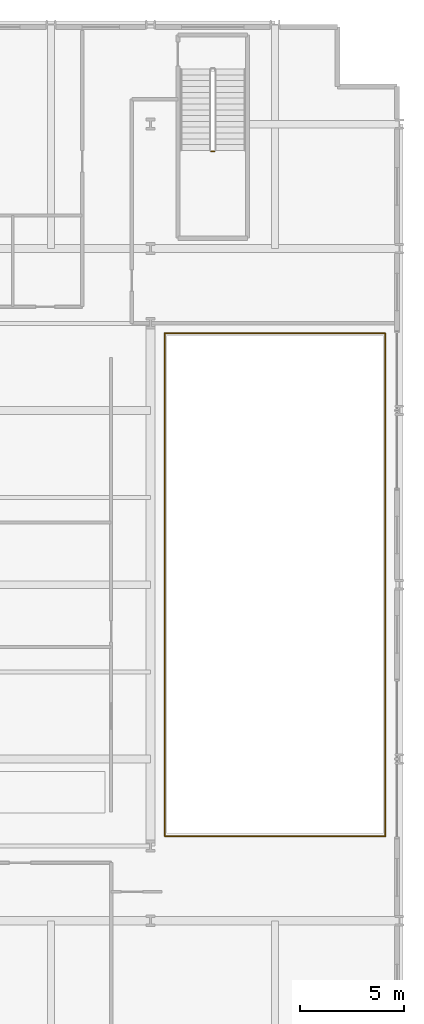
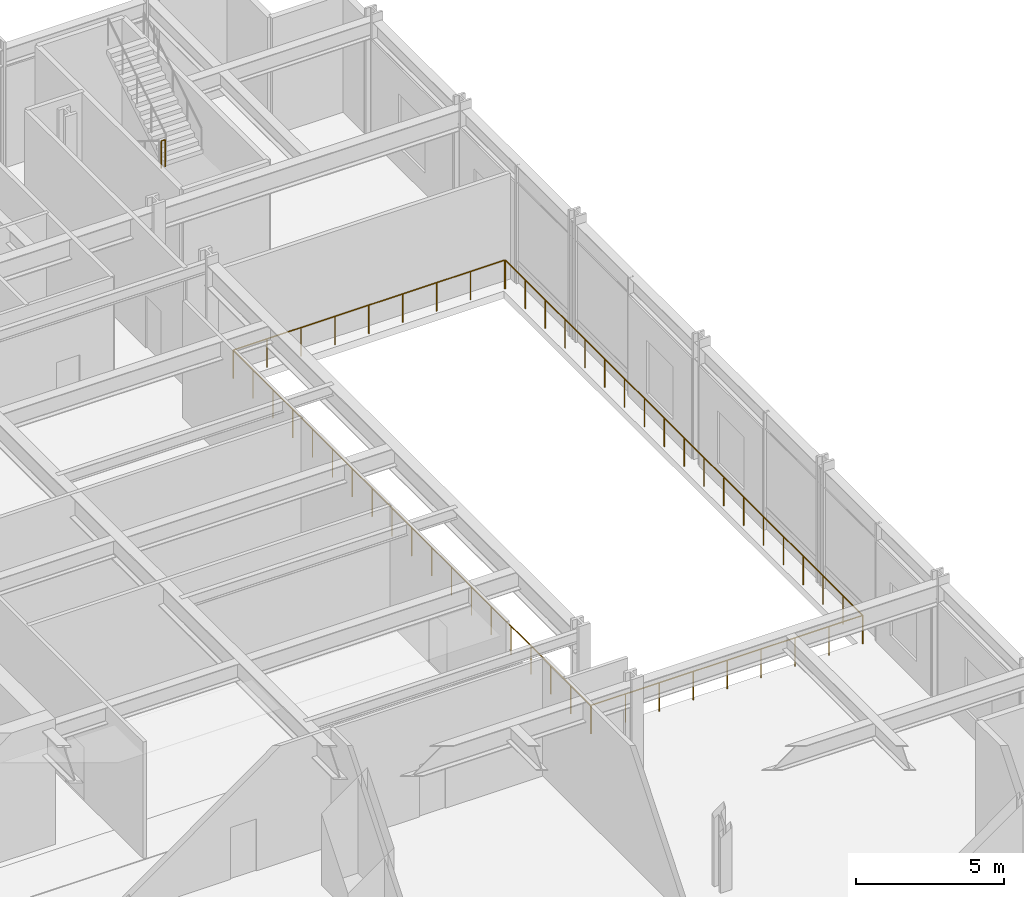
# One storey, part 20 of 21: 3 railings.
"""IFC4 building model written with IfcOpenShell, lengths in metres."""

import ifcopenshell
import ifcopenshell.guid

model = None  # the IFC model being written
_history = None  # IfcOwnerHistory: only IFC2X3 demands one
_inside = {}  # id of a spatial element -> (the spatial element, [elements in it])
_under = {}  # id of a project, library or spatial element -> (it, [spatial elements below it])
_declared = {}  # id of a project -> (the project, [libraries it declares])
_typed = {}  # id of a type object -> (the type object, [elements of that type])
_made_of = {}  # id of a material, layer set ... -> (it, [elements and type objects made of it])


def new_model(schema):
    """Start an empty IFC model of exactly this schema.

    Asked for "IFC4X3", IfcOpenShell would pick the latest addendum, in which some entities
    have other attributes; the version numbers below select the first issue.
    IFC2X3 requires an IfcOwnerHistory on every rooted entity: one is made here for all.
    """
    global model, _history
    if schema == "IFC4X3":
        model = ifcopenshell.file(schema_version=(4, 3, 0, 0))
    else:
        model = ifcopenshell.file(schema=schema)
    _inside.clear()
    _under.clear()
    _declared.clear()
    _typed.clear()
    _made_of.clear()
    _history = None
    if model.schema == "IFC2X3":
        org = make("IfcOrganization", Name="unknown")
        user = make(
            "IfcPersonAndOrganization",
            ThePerson=make("IfcPerson", FamilyName="unknown"),
            TheOrganization=org,
        )
        app = make(
            "IfcApplication",
            ApplicationDeveloper=org,
            Version="unknown",
            ApplicationFullName="unknown",
            ApplicationIdentifier="unknown",
        )
        _history = make(
            "IfcOwnerHistory",
            OwningUser=user,
            OwningApplication=app,
            ChangeAction="ADDED",
            CreationDate=0,
        )
    return model


def make(cls, **values):
    """One entity of the class cls with the attributes given. An attribute that is None is left unset."""
    return model.create_entity(
        cls, **{name: value for name, value in values.items() if value is not None}
    )


def rooted(cls, **values):
    """An entity with a GlobalId (a new one), such as an element, a storey or a relation."""
    return make(cls, GlobalId=ifcopenshell.guid.new(), OwnerHistory=_history, **values)


def si_unit(unit_type, name, prefix=None):
    """IfcSIUnit, for example si_unit("LENGTHUNIT", "METRE", prefix="MILLI")."""
    return make("IfcSIUnit", UnitType=unit_type, Prefix=prefix, Name=name)


def assignment(units):
    """IfcUnitAssignment: the units of a project."""
    return None if units is None else make("IfcUnitAssignment", Units=units)


def point(xyz):
    """IfcCartesianPoint."""
    return None if xyz is None else make("IfcCartesianPoint", Coordinates=xyz)


def direction(xyz):
    """IfcDirection."""
    return None if xyz is None else make("IfcDirection", DirectionRatios=xyz)


def frame(location, z_axis=None, x_axis=None):
    """IfcAxis2Placement3D, a coordinate frame: its origin and axes. An axis left out is left unset."""
    return make(
        "IfcAxis2Placement3D",
        Location=point(location),
        Axis=direction(z_axis),
        RefDirection=direction(x_axis),
    )


def frame_2d(location, x_axis=None):
    """IfcAxis2Placement2D, a coordinate frame in the plane: its origin and x axis."""
    return make(
        "IfcAxis2Placement2D", Location=point(location), RefDirection=direction(x_axis)
    )


def origin():
    """The frame at (0, 0, 0) with its axes left unset."""
    return frame((0.0, 0.0, 0.0))


def origin_2d():
    """The frame at (0, 0) in the plane with its x axis left unset."""
    return frame_2d((0.0, 0.0))


def place(relative_to, where):
    """IfcLocalPlacement: puts the frame where relative to a parent placement (None: the world)."""
    return make(
        "IfcLocalPlacement", PlacementRelTo=relative_to, RelativePlacement=where
    )


def context(
    kind, dimensions, precision=None, world=None, true_north=None, identifier=None
):
    """IfcGeometricRepresentationContext, for example the 3D "Model" context."""
    return make(
        "IfcGeometricRepresentationContext",
        ContextIdentifier=identifier,
        ContextType=kind,
        CoordinateSpaceDimension=dimensions,
        Precision=precision,
        WorldCoordinateSystem=world,
        TrueNorth=true_north,
    )


def subcontext(parent, identifier, kind, view, scale=None):
    """IfcGeometricRepresentationSubContext, for example "Body" below "Model"."""
    return make(
        "IfcGeometricRepresentationSubContext",
        ContextIdentifier=identifier,
        ContextType=kind,
        ParentContext=parent,
        TargetScale=scale,
        TargetView=view,
    )


def project(units=None, contexts=None):
    """IfcProject with its units and contexts."""
    return rooted(
        "IfcProject",
        Name="project",
        RepresentationContexts=contexts,
        UnitsInContext=assignment(units),
    )


def spatial(cls, under=None, at=None, **own):
    """A site, building, storey or space (cls), placed at a placement, below another one or the project."""
    s = rooted(cls, ObjectPlacement=at, **own)
    if under is not None:
        _under.setdefault(under.id(), (under, []))[1].append(s)
    return s


def profile(cls, at=None, kind="AREA", **sizes):
    """A parametric profile (cls). Its sizes go by their IFC names, for example OverallWidth=200.0."""
    return make(cls, ProfileType=kind, Position=at, **sizes)


def circle(**sizes):
    """IfcCircleProfileDef."""
    return profile("IfcCircleProfileDef", **sizes)


def extrude(swept, where, along, depth):
    """IfcExtrudedAreaSolid: the profile swept, set in the frame where, extruded along a direction by depth."""
    return make(
        "IfcExtrudedAreaSolid",
        SweptArea=swept,
        Position=where,
        ExtrudedDirection=direction(along),
        Depth=depth,
    )


def shape(context_of_items, identifier, shape_type, items):
    """IfcShapeRepresentation: the items that make up one representation, for example the "Body"."""
    return make(
        "IfcShapeRepresentation",
        ContextOfItems=context_of_items,
        RepresentationIdentifier=identifier,
        RepresentationType=shape_type,
        Items=items,
    )


def material(Name=None, Category=None):
    """IfcMaterial."""
    return make("IfcMaterial", Name=Name, Category=Category)


def made_of(thing, what):
    """Note that an element or type object is made of a material, layer set ...; save() writes the relation."""
    if what is not None:
        _made_of.setdefault(what.id(), (what, []))[1].append(thing)
    return thing


def type_object(cls, material=None, **own):
    """A type object (cls), such as IfcWallType, which elements share."""
    return made_of(rooted(cls, **own), material)


def element(
    cls,
    number,
    at=None,
    inside=None,
    cuts=None,
    type_object=None,
    material=None,
    context=None,
    identifier="Body",
    shape_type=None,
    held_by="IfcProductDefinitionShape",
    body=None,
    shapes=None,
    **own,
):
    """One element of the class cls, such as IfcWall. Its Tag is "e" and its number.

    at: its placement. inside: the storey or other place that contains it. cuts: it is an
    opening in that element (IfcRelVoidsElement). A single representation is given by context,
    identifier, shape_type and body (its items); several are given by shapes. held_by: the class
    of the entity that holds the representations. save() writes the other relations.
    """
    e = rooted(cls, Tag="e%d" % number, ObjectPlacement=at, **own)
    if body is not None:
        shapes = [shape(context, identifier, shape_type, body)]
    if shapes is not None:
        e.Representation = make(held_by, Representations=shapes)
    if inside is not None:
        _inside.setdefault(inside.id(), (inside, []))[1].append(e)
    if cuts is not None:
        rooted(
            "IfcRelVoidsElement", RelatingBuildingElement=cuts, RelatedOpeningElement=e
        )
    if type_object is not None:
        _typed.setdefault(type_object.id(), (type_object, []))[1].append(e)
    return made_of(e, material)


def aggregate(whole, parts):
    """IfcRelAggregates: a whole, such as a stair, and the parts it consists of."""
    return rooted("IfcRelAggregates", RelatingObject=whole, RelatedObjects=parts)


def save(model, path):
    """Write the relations noted so far, then the file.

    IfcRelAggregates (storeys below a building ...), IfcRelContainedInSpatialStructure (elements
    in a storey), IfcRelDefinesByType, IfcRelAssociatesMaterial and IfcRelDeclares: one each for
    every whole, place, type object, material and project.
    """
    for whole, parts in _under.values():
        aggregate(whole, parts)
    for where, things in _inside.values():
        rooted(
            "IfcRelContainedInSpatialStructure",
            RelatedElements=things,
            RelatingStructure=where,
        )
    for kind, things in _typed.values():
        rooted("IfcRelDefinesByType", RelatedObjects=things, RelatingType=kind)
    for what, things in _made_of.values():
        rooted("IfcRelAssociatesMaterial", RelatedObjects=things, RelatingMaterial=what)
    for by, libraries in _declared.values():
        rooted("IfcRelDeclares", RelatingContext=by, RelatedDefinitions=libraries)
    model.write(path)


model = new_model("IFC4")

# Units and contexts
model_context = context("Model", 3, precision=1e-05, world=origin(), true_north=direction((0.0, 1.0)))
body_context = subcontext(model_context, "Body", "Model", "MODEL_VIEW")
ifc_project = project(units=[si_unit("LENGTHUNIT", "METRE"), si_unit("AREAUNIT", "SQUARE_METRE"), si_unit("VOLUMEUNIT", "CUBIC_METRE"), si_unit("PLANEANGLEUNIT", "RADIAN"), si_unit("MASSUNIT", "GRAM", prefix="KILO")], contexts=[model_context])

# Site, building, storey
site_placement = place(None, origin())
site = spatial("IfcSite", under=ifc_project, at=site_placement, CompositionType="ELEMENT")
building_placement = place(site_placement, origin())
building = spatial("IfcBuilding", under=site, at=building_placement, Name="Drelvath Grand Hotel", CompositionType="ELEMENT")
storey_placement = place(building_placement, frame((0.0, 0.0, 22.39990234375)))
storey = spatial("IfcBuildingStorey", under=building, at=storey_placement, Name="L04", CompositionType="ELEMENT", Elevation=22.39990234375)

# Railings
ifc_material_1 = material(Name="Painted Steel S275", Category="steel")
railing_type_1 = type_object("IfcRailingType", Name="Core Stair Well Guardrail 1100", PredefinedType="GUARDRAIL", material=ifc_material_1)
railing_1_placement = place(storey_placement, frame((29.919921875, 47.8798828125, 2.60009765625)))
element("IfcRailing", 1, at=railing_1_placement, inside=storey, type_object=railing_type_1, Name="L04 ST-4 stair guard 2", PredefinedType="GUARDRAIL", context=body_context, shape_type="SweptSolid", body=[
    extrude(circle(Radius=0.02392578125, at=origin_2d()), frame((0.0, 0.0, 1.1259765625), z_axis=(1.0, 0.0, 0.0), x_axis=(0.0, 1.0, 0.0)), (0.0, 0.0, 1.0), 0.16015625),
    extrude(circle(Radius=0.02099609375, at=origin_2d()), origin(), (0.0, 0.0, 1.0), 1.101806640625),
    extrude(circle(Radius=0.02099609375, at=origin_2d()), frame((0.16015625, 0.0, 0.0)), (0.0, 0.0, 1.0), 1.101806640625),
])
ifc_material_2 = material(Name="Anodised Aluminium and Laminated Glass Balustrade", Category="aluminium")
railing_type_2 = type_object("IfcRailingType", Name="Glazed Terrace and Atrium Balustrade 1200", PredefinedType="BALUSTRADE", material=ifc_material_2)
railing_2_placement = place(storey_placement, frame((27.7041015625, 14.8798828125, 0.0)))
element("IfcRailing", 2, at=railing_2_placement, inside=storey, type_object=railing_type_2, Name="L04 Atrium Void Perimeter Balustrade A", PredefinedType="BALUSTRADE", context=body_context, shape_type="SweptSolid", body=[
    extrude(circle(Radius=0.02392578125, at=origin_2d()), frame((0.0, 0.0, 1.17578125), z_axis=(1.0, 0.0, 0.0), x_axis=(0.0, 1.0, 0.0)), (0.0, 0.0, 1.0), 10.615966796875),
    extrude(circle(Radius=0.02392578125, at=origin_2d()), frame((10.615966796875, 0.0, 1.17578125), z_axis=(0.0, 1.0, 0.0), x_axis=(-1.0, 0.0, 0.0)), (0.0, 0.0, 1.0), 24.216064453125),
    extrude(circle(Radius=0.02099609375, at=origin_2d()), origin(), (0.0, 0.0, 1.0), 1.15185546875),
    extrude(circle(Radius=0.02099609375, at=origin_2d()), frame((1.326904296875, 0.0, 0.0)), (0.0, 0.0, 1.0), 1.15185546875),
    extrude(circle(Radius=0.02099609375, at=origin_2d()), frame((2.654052734375, 0.0, 0.0)), (0.0, 0.0, 1.0), 1.15185546875),
    extrude(circle(Radius=0.02099609375, at=origin_2d()), frame((3.98095703125, 0.0, 0.0)), (0.0, 0.0, 1.0), 1.15185546875),
    extrude(circle(Radius=0.02099609375, at=origin_2d()), frame((5.30810546875, 0.0, 0.0)), (0.0, 0.0, 1.0), 1.15185546875),
    extrude(circle(Radius=0.02099609375, at=origin_2d()), frame((6.635009765625, 0.0, 0.0)), (0.0, 0.0, 1.0), 1.15185546875),
    extrude(circle(Radius=0.02099609375, at=origin_2d()), frame((7.9619140625, 0.0, 0.0)), (0.0, 0.0, 1.0), 1.15185546875),
    extrude(circle(Radius=0.02099609375, at=origin_2d()), frame((9.2890625, 0.0, 0.0)), (0.0, 0.0, 1.0), 1.15185546875),
    extrude(circle(Radius=0.02099609375, at=origin_2d()), frame((10.615966796875, 0.0, 0.0)), (0.0, 0.0, 1.0), 1.15185546875),
    extrude(circle(Radius=0.02099609375, at=origin_2d()), frame((10.615966796875, 1.34521484375, 0.0)), (0.0, 0.0, 1.0), 1.15185546875),
    extrude(circle(Radius=0.02099609375, at=origin_2d()), frame((10.615966796875, 2.690673828125, 0.0)), (0.0, 0.0, 1.0), 1.15185546875),
    extrude(circle(Radius=0.02099609375, at=origin_2d()), frame((10.615966796875, 4.0361328125, 0.0)), (0.0, 0.0, 1.0), 1.15185546875),
    extrude(circle(Radius=0.02099609375, at=origin_2d()), frame((10.615966796875, 5.38134765625, 0.0)), (0.0, 0.0, 1.0), 1.15185546875),
    extrude(circle(Radius=0.02099609375, at=origin_2d()), frame((10.615966796875, 6.7265625, 0.0)), (0.0, 0.0, 1.0), 1.15185546875),
    extrude(circle(Radius=0.02099609375, at=origin_2d()), frame((10.615966796875, 8.072021484375, 0.0)), (0.0, 0.0, 1.0), 1.15185546875),
    extrude(circle(Radius=0.02099609375, at=origin_2d()), frame((10.615966796875, 9.41748046875, 0.0)), (0.0, 0.0, 1.0), 1.15185546875),
    extrude(circle(Radius=0.02099609375, at=origin_2d()), frame((10.615966796875, 10.7626953125, 0.0)), (0.0, 0.0, 1.0), 1.15185546875),
    extrude(circle(Radius=0.02099609375, at=origin_2d()), frame((10.615966796875, 12.10791015625, 0.0)), (0.0, 0.0, 1.0), 1.15185546875),
    extrude(circle(Radius=0.02099609375, at=origin_2d()), frame((10.615966796875, 13.453369140625, 0.0)), (0.0, 0.0, 1.0), 1.15185546875),
    extrude(circle(Radius=0.02099609375, at=origin_2d()), frame((10.615966796875, 14.798828125, 0.0)), (0.0, 0.0, 1.0), 1.15185546875),
    extrude(circle(Radius=0.02099609375, at=origin_2d()), frame((10.615966796875, 16.14404296875, 0.0)), (0.0, 0.0, 1.0), 1.15185546875),
    extrude(circle(Radius=0.02099609375, at=origin_2d()), frame((10.615966796875, 17.4892578125, 0.0)), (0.0, 0.0, 1.0), 1.15185546875),
    extrude(circle(Radius=0.02099609375, at=origin_2d()), frame((10.615966796875, 18.834716796875, 0.0)), (0.0, 0.0, 1.0), 1.15185546875),
    extrude(circle(Radius=0.02099609375, at=origin_2d()), frame((10.615966796875, 20.18017578125, 0.0)), (0.0, 0.0, 1.0), 1.15185546875),
    extrude(circle(Radius=0.02099609375, at=origin_2d()), frame((10.615966796875, 21.525390625, 0.0)), (0.0, 0.0, 1.0), 1.15185546875),
    extrude(circle(Radius=0.02099609375, at=origin_2d()), frame((10.615966796875, 22.87060546875, 0.0)), (0.0, 0.0, 1.0), 1.15185546875),
    extrude(circle(Radius=0.02099609375, at=origin_2d()), frame((10.615966796875, 24.216064453125, 0.0)), (0.0, 0.0, 1.0), 1.15185546875),
])
railing_3_placement = place(storey_placement, frame((38.2958984375, 39.1201171875, 0.0)))
element("IfcRailing", 3, at=railing_3_placement, inside=storey, type_object=railing_type_2, Name="L04 Atrium Void Perimeter Balustrade B", PredefinedType="BALUSTRADE", context=body_context, shape_type="SweptSolid", body=[
    extrude(circle(Radius=0.02392578125, at=origin_2d()), frame((0.0, 0.0, 1.17578125), z_axis=(-1.0, 0.0, 0.0), x_axis=(0.0, -1.0, 0.0)), (0.0, 0.0, 1.0), 10.615966796875),
    extrude(circle(Radius=0.02392578125, at=origin_2d()), frame((-10.615966796875, 0.0, 1.17578125), z_axis=(0.0, -1.0, 0.0), x_axis=(1.0, 0.0, 0.0)), (0.0, 0.0, 1.0), 24.216064453125),
    extrude(circle(Radius=0.02099609375, at=origin_2d()), origin(), (0.0, 0.0, 1.0), 1.15185546875),
    extrude(circle(Radius=0.02099609375, at=origin_2d()), frame((-1.326904296875, 0.0, 0.0)), (0.0, 0.0, 1.0), 1.15185546875),
    extrude(circle(Radius=0.02099609375, at=origin_2d()), frame((-2.654052734375, 0.0, 0.0)), (0.0, 0.0, 1.0), 1.15185546875),
    extrude(circle(Radius=0.02099609375, at=origin_2d()), frame((-3.98095703125, 0.0, 0.0)), (0.0, 0.0, 1.0), 1.15185546875),
    extrude(circle(Radius=0.02099609375, at=origin_2d()), frame((-5.30810546875, 0.0, 0.0)), (0.0, 0.0, 1.0), 1.15185546875),
    extrude(circle(Radius=0.02099609375, at=origin_2d()), frame((-6.635009765625, 0.0, 0.0)), (0.0, 0.0, 1.0), 1.15185546875),
    extrude(circle(Radius=0.02099609375, at=origin_2d()), frame((-7.9619140625, 0.0, 0.0)), (0.0, 0.0, 1.0), 1.15185546875),
    extrude(circle(Radius=0.02099609375, at=origin_2d()), frame((-9.2890625, 0.0, 0.0)), (0.0, 0.0, 1.0), 1.15185546875),
    extrude(circle(Radius=0.02099609375, at=origin_2d()), frame((-10.615966796875, 0.0, 0.0)), (0.0, 0.0, 1.0), 1.15185546875),
    extrude(circle(Radius=0.02099609375, at=origin_2d()), frame((-10.615966796875, -1.34521484375, 0.0)), (0.0, 0.0, 1.0), 1.15185546875),
    extrude(circle(Radius=0.02099609375, at=origin_2d()), frame((-10.615966796875, -2.690673828125, 0.0)), (0.0, 0.0, 1.0), 1.15185546875),
    extrude(circle(Radius=0.02099609375, at=origin_2d()), frame((-10.615966796875, -4.0361328125, 0.0)), (0.0, 0.0, 1.0), 1.15185546875),
    extrude(circle(Radius=0.02099609375, at=origin_2d()), frame((-10.615966796875, -5.38134765625, 0.0)), (0.0, 0.0, 1.0), 1.15185546875),
    extrude(circle(Radius=0.02099609375, at=origin_2d()), frame((-10.615966796875, -6.7265625, 0.0)), (0.0, 0.0, 1.0), 1.15185546875),
    extrude(circle(Radius=0.02099609375, at=origin_2d()), frame((-10.615966796875, -8.072021484375, 0.0)), (0.0, 0.0, 1.0), 1.15185546875),
    extrude(circle(Radius=0.02099609375, at=origin_2d()), frame((-10.615966796875, -9.41748046875, 0.0)), (0.0, 0.0, 1.0), 1.15185546875),
    extrude(circle(Radius=0.02099609375, at=origin_2d()), frame((-10.615966796875, -10.7626953125, 0.0)), (0.0, 0.0, 1.0), 1.15185546875),
    extrude(circle(Radius=0.02099609375, at=origin_2d()), frame((-10.615966796875, -12.10791015625, 0.0)), (0.0, 0.0, 1.0), 1.15185546875),
    extrude(circle(Radius=0.02099609375, at=origin_2d()), frame((-10.615966796875, -13.453369140625, 0.0)), (0.0, 0.0, 1.0), 1.15185546875),
    extrude(circle(Radius=0.02099609375, at=origin_2d()), frame((-10.615966796875, -14.798828125, 0.0)), (0.0, 0.0, 1.0), 1.15185546875),
    extrude(circle(Radius=0.02099609375, at=origin_2d()), frame((-10.615966796875, -16.14404296875, 0.0)), (0.0, 0.0, 1.0), 1.15185546875),
    extrude(circle(Radius=0.02099609375, at=origin_2d()), frame((-10.615966796875, -17.4892578125, 0.0)), (0.0, 0.0, 1.0), 1.15185546875),
    extrude(circle(Radius=0.02099609375, at=origin_2d()), frame((-10.615966796875, -18.834716796875, 0.0)), (0.0, 0.0, 1.0), 1.15185546875),
    extrude(circle(Radius=0.02099609375, at=origin_2d()), frame((-10.615966796875, -20.18017578125, 0.0)), (0.0, 0.0, 1.0), 1.15185546875),
    extrude(circle(Radius=0.02099609375, at=origin_2d()), frame((-10.615966796875, -21.525390625, 0.0)), (0.0, 0.0, 1.0), 1.15185546875),
    extrude(circle(Radius=0.02099609375, at=origin_2d()), frame((-10.615966796875, -22.87060546875, 0.0)), (0.0, 0.0, 1.0), 1.15185546875),
    extrude(circle(Radius=0.02099609375, at=origin_2d()), frame((-10.615966796875, -24.216064453125, 0.0)), (0.0, 0.0, 1.0), 1.15185546875),
])

save(model, "model.ifc")
